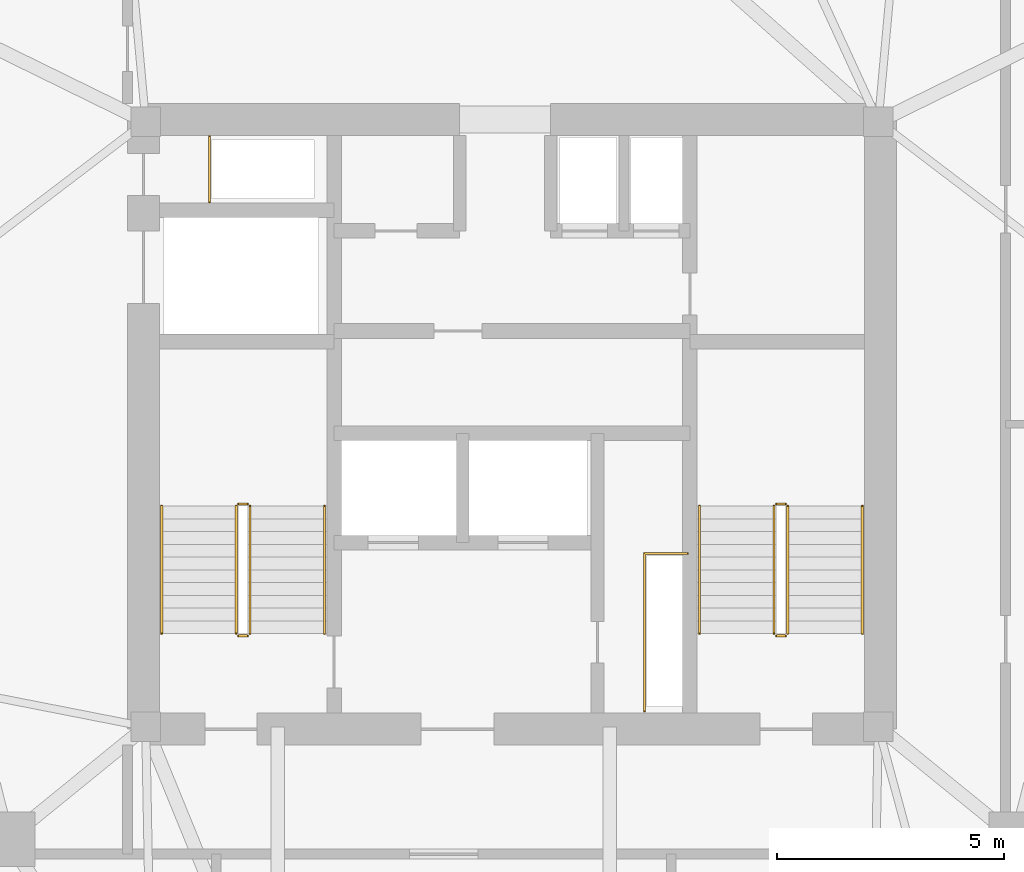
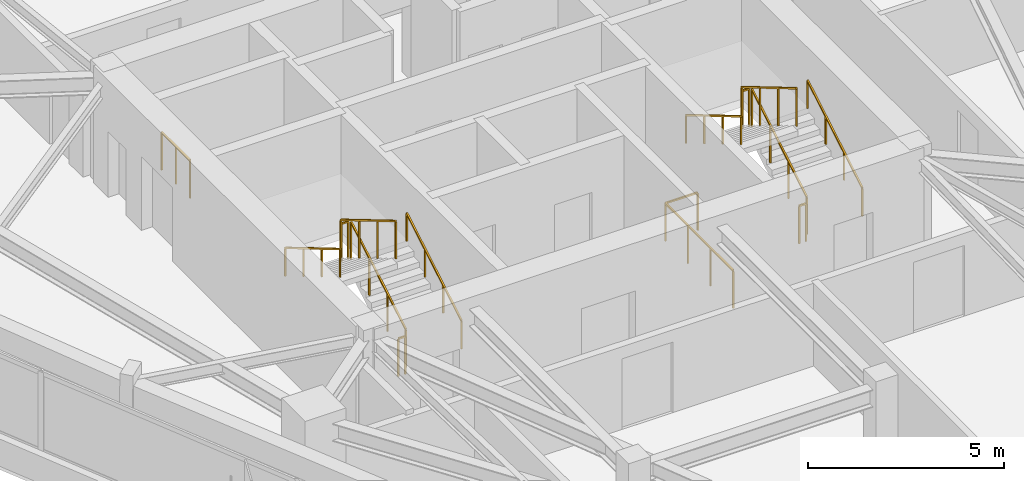
# One storey, part 11 of 11: 14 railings.
"""IFC4 building model written with IfcOpenShell, lengths in metres."""

import ifcopenshell
import ifcopenshell.guid

model = None  # the IFC model being written
_history = None  # IfcOwnerHistory: only IFC2X3 demands one
_inside = {}  # id of a spatial element -> (the spatial element, [elements in it])
_under = {}  # id of a project, library or spatial element -> (it, [spatial elements below it])
_declared = {}  # id of a project -> (the project, [libraries it declares])
_typed = {}  # id of a type object -> (the type object, [elements of that type])
_made_of = {}  # id of a material, layer set ... -> (it, [elements and type objects made of it])


def new_model(schema):
    """Start an empty IFC model of exactly this schema.

    Asked for "IFC4X3", IfcOpenShell would pick the latest addendum, in which some entities
    have other attributes; the version numbers below select the first issue.
    IFC2X3 requires an IfcOwnerHistory on every rooted entity: one is made here for all.
    """
    global model, _history
    if schema == "IFC4X3":
        model = ifcopenshell.file(schema_version=(4, 3, 0, 0))
    else:
        model = ifcopenshell.file(schema=schema)
    _inside.clear()
    _under.clear()
    _declared.clear()
    _typed.clear()
    _made_of.clear()
    _history = None
    if model.schema == "IFC2X3":
        org = make("IfcOrganization", Name="unknown")
        user = make(
            "IfcPersonAndOrganization",
            ThePerson=make("IfcPerson", FamilyName="unknown"),
            TheOrganization=org,
        )
        app = make(
            "IfcApplication",
            ApplicationDeveloper=org,
            Version="unknown",
            ApplicationFullName="unknown",
            ApplicationIdentifier="unknown",
        )
        _history = make(
            "IfcOwnerHistory",
            OwningUser=user,
            OwningApplication=app,
            ChangeAction="ADDED",
            CreationDate=0,
        )
    return model


def make(cls, **values):
    """One entity of the class cls with the attributes given. An attribute that is None is left unset."""
    return model.create_entity(
        cls, **{name: value for name, value in values.items() if value is not None}
    )


def rooted(cls, **values):
    """An entity with a GlobalId (a new one), such as an element, a storey or a relation."""
    return make(cls, GlobalId=ifcopenshell.guid.new(), OwnerHistory=_history, **values)


def si_unit(unit_type, name, prefix=None):
    """IfcSIUnit, for example si_unit("LENGTHUNIT", "METRE", prefix="MILLI")."""
    return make("IfcSIUnit", UnitType=unit_type, Prefix=prefix, Name=name)


def assignment(units):
    """IfcUnitAssignment: the units of a project."""
    return None if units is None else make("IfcUnitAssignment", Units=units)


def point(xyz):
    """IfcCartesianPoint."""
    return None if xyz is None else make("IfcCartesianPoint", Coordinates=xyz)


def direction(xyz):
    """IfcDirection."""
    return None if xyz is None else make("IfcDirection", DirectionRatios=xyz)


def frame(location, z_axis=None, x_axis=None):
    """IfcAxis2Placement3D, a coordinate frame: its origin and axes. An axis left out is left unset."""
    return make(
        "IfcAxis2Placement3D",
        Location=point(location),
        Axis=direction(z_axis),
        RefDirection=direction(x_axis),
    )


def frame_2d(location, x_axis=None):
    """IfcAxis2Placement2D, a coordinate frame in the plane: its origin and x axis."""
    return make(
        "IfcAxis2Placement2D", Location=point(location), RefDirection=direction(x_axis)
    )


def origin():
    """The frame at (0, 0, 0) with its axes left unset."""
    return frame((0.0, 0.0, 0.0))


def origin_2d():
    """The frame at (0, 0) in the plane with its x axis left unset."""
    return frame_2d((0.0, 0.0))


def place(relative_to, where):
    """IfcLocalPlacement: puts the frame where relative to a parent placement (None: the world)."""
    return make(
        "IfcLocalPlacement", PlacementRelTo=relative_to, RelativePlacement=where
    )


def context(
    kind, dimensions, precision=None, world=None, true_north=None, identifier=None
):
    """IfcGeometricRepresentationContext, for example the 3D "Model" context."""
    return make(
        "IfcGeometricRepresentationContext",
        ContextIdentifier=identifier,
        ContextType=kind,
        CoordinateSpaceDimension=dimensions,
        Precision=precision,
        WorldCoordinateSystem=world,
        TrueNorth=true_north,
    )


def subcontext(parent, identifier, kind, view, scale=None):
    """IfcGeometricRepresentationSubContext, for example "Body" below "Model"."""
    return make(
        "IfcGeometricRepresentationSubContext",
        ContextIdentifier=identifier,
        ContextType=kind,
        ParentContext=parent,
        TargetScale=scale,
        TargetView=view,
    )


def project(units=None, contexts=None):
    """IfcProject with its units and contexts."""
    return rooted(
        "IfcProject",
        Name="project",
        RepresentationContexts=contexts,
        UnitsInContext=assignment(units),
    )


def spatial(cls, under=None, at=None, **own):
    """A site, building, storey or space (cls), placed at a placement, below another one or the project."""
    s = rooted(cls, ObjectPlacement=at, **own)
    if under is not None:
        _under.setdefault(under.id(), (under, []))[1].append(s)
    return s


def profile(cls, at=None, kind="AREA", **sizes):
    """A parametric profile (cls). Its sizes go by their IFC names, for example OverallWidth=200.0."""
    return make(cls, ProfileType=kind, Position=at, **sizes)


def rectangle(**sizes):
    """IfcRectangleProfileDef."""
    return profile("IfcRectangleProfileDef", **sizes)


def extrude(swept, where, along, depth):
    """IfcExtrudedAreaSolid: the profile swept, set in the frame where, extruded along a direction by depth."""
    return make(
        "IfcExtrudedAreaSolid",
        SweptArea=swept,
        Position=where,
        ExtrudedDirection=direction(along),
        Depth=depth,
    )


def shape(context_of_items, identifier, shape_type, items):
    """IfcShapeRepresentation: the items that make up one representation, for example the "Body"."""
    return make(
        "IfcShapeRepresentation",
        ContextOfItems=context_of_items,
        RepresentationIdentifier=identifier,
        RepresentationType=shape_type,
        Items=items,
    )


def material(Name=None, Category=None):
    """IfcMaterial."""
    return make("IfcMaterial", Name=Name, Category=Category)


def made_of(thing, what):
    """Note that an element or type object is made of a material, layer set ...; save() writes the relation."""
    if what is not None:
        _made_of.setdefault(what.id(), (what, []))[1].append(thing)
    return thing


def type_object(cls, material=None, **own):
    """A type object (cls), such as IfcWallType, which elements share."""
    return made_of(rooted(cls, **own), material)


def element(
    cls,
    number,
    at=None,
    inside=None,
    cuts=None,
    type_object=None,
    material=None,
    context=None,
    identifier="Body",
    shape_type=None,
    held_by="IfcProductDefinitionShape",
    body=None,
    shapes=None,
    **own,
):
    """One element of the class cls, such as IfcWall. Its Tag is "e" and its number.

    at: its placement. inside: the storey or other place that contains it. cuts: it is an
    opening in that element (IfcRelVoidsElement). A single representation is given by context,
    identifier, shape_type and body (its items); several are given by shapes. held_by: the class
    of the entity that holds the representations. save() writes the other relations.
    """
    e = rooted(cls, Tag="e%d" % number, ObjectPlacement=at, **own)
    if body is not None:
        shapes = [shape(context, identifier, shape_type, body)]
    if shapes is not None:
        e.Representation = make(held_by, Representations=shapes)
    if inside is not None:
        _inside.setdefault(inside.id(), (inside, []))[1].append(e)
    if cuts is not None:
        rooted(
            "IfcRelVoidsElement", RelatingBuildingElement=cuts, RelatedOpeningElement=e
        )
    if type_object is not None:
        _typed.setdefault(type_object.id(), (type_object, []))[1].append(e)
    return made_of(e, material)


def aggregate(whole, parts):
    """IfcRelAggregates: a whole, such as a stair, and the parts it consists of."""
    return rooted("IfcRelAggregates", RelatingObject=whole, RelatedObjects=parts)


def save(model, path):
    """Write the relations noted so far, then the file.

    IfcRelAggregates (storeys below a building ...), IfcRelContainedInSpatialStructure (elements
    in a storey), IfcRelDefinesByType, IfcRelAssociatesMaterial and IfcRelDeclares: one each for
    every whole, place, type object, material and project.
    """
    for whole, parts in _under.values():
        aggregate(whole, parts)
    for where, things in _inside.values():
        rooted(
            "IfcRelContainedInSpatialStructure",
            RelatedElements=things,
            RelatingStructure=where,
        )
    for kind, things in _typed.values():
        rooted("IfcRelDefinesByType", RelatedObjects=things, RelatingType=kind)
    for what, things in _made_of.values():
        rooted("IfcRelAssociatesMaterial", RelatedObjects=things, RelatingMaterial=what)
    for by, libraries in _declared.values():
        rooted("IfcRelDeclares", RelatingContext=by, RelatedDefinitions=libraries)
    model.write(path)


model = new_model("IFC4")

# Units and contexts
model_context = context("Model", 3, precision=1e-05, world=origin(), true_north=direction((0.0, 1.0)))
body_context = subcontext(model_context, "Body", "Model", "MODEL_VIEW")
ifc_project = project(units=[si_unit("LENGTHUNIT", "METRE"), si_unit("AREAUNIT", "SQUARE_METRE"), si_unit("VOLUMEUNIT", "CUBIC_METRE"), si_unit("PLANEANGLEUNIT", "RADIAN"), si_unit("MASSUNIT", "GRAM", prefix="KILO")], contexts=[model_context])

# Site, building, storey
site_placement = place(None, origin())
site = spatial("IfcSite", under=ifc_project, at=site_placement, CompositionType="ELEMENT")
building_placement = place(site_placement, origin())
building = spatial("IfcBuilding", under=site, at=building_placement, Name="Talyreon Biosciences Tower", CompositionType="ELEMENT")
storey_placement = place(building_placement, frame((0.0, 0.0, 271.75)))
storey = spatial("IfcBuildingStorey", under=building, at=storey_placement, Name="L72", CompositionType="ELEMENT", Elevation=271.75)

# Railings
ifc_material_1 = material(Name="Brushed stainless-steel tubular handrail", Category="steel")
railing_type_1 = type_object("IfcRailingType", Name="StairWallHandrail_900", PredefinedType="HANDRAIL", material=ifc_material_1)
railing_1_placement = place(storey_placement, frame((61.8798828125, 63.39990234375, 0.166015625)))
element("IfcRailing", 1, at=railing_1_placement, inside=storey, type_object=railing_type_1, Name="L72 ST-1 stair handrail 1", PredefinedType="HANDRAIL", context=body_context, shape_type="SweptSolid", body=[
    extrude(rectangle(XDim=0.048095703125, YDim=0.048095703125, at=origin_2d()), frame((0.0, 0.0, 0.8759765625), z_axis=(0.0, 0.860339051648, 0.50972219513), x_axis=(-1.0, 0.0, 0.0)), (0.0, 0.0, 1.0), 3.254638671875),
    extrude(rectangle(XDim=0.0419921875, YDim=0.0419921875, at=origin_2d()), origin(), (0.0, 0.0, 1.0), 0.851806640625),
    extrude(rectangle(XDim=0.0419921875, YDim=0.0419921875, at=origin_2d()), frame((0.0, 0.933349609375, 0.552978515625)), (0.0, 0.0, 1.0), 0.851806640625),
    extrude(rectangle(XDim=0.0419921875, YDim=0.0419921875, at=origin_2d()), frame((0.0, 1.86669921875, 1.10595703125)), (0.0, 0.0, 1.0), 0.851806640625),
    extrude(rectangle(XDim=0.0419921875, YDim=0.0419921875, at=origin_2d()), frame((0.0, 2.800048828125, 1.658935546875)), (0.0, 0.0, 1.0), 0.851806640625),
])
railing_2_placement = place(storey_placement, frame((58.300048828125, 66.199951171875, 1.990966796875)))
element("IfcRailing", 2, at=railing_2_placement, inside=storey, type_object=railing_type_1, Name="L72 ST-1 stair handrail 2", PredefinedType="HANDRAIL", context=body_context, shape_type="SweptSolid", body=[
    extrude(rectangle(XDim=0.048095703125, YDim=0.048095703125, at=origin_2d()), frame((0.0, 0.0, 0.8759765625), z_axis=(0.0, -0.860339051648, 0.50972219513), x_axis=(1.0, 0.0, 0.0)), (0.0, 0.0, 1.0), 3.254638671875),
    extrude(rectangle(XDim=0.0419921875, YDim=0.0419921875, at=origin_2d()), origin(), (0.0, 0.0, 1.0), 0.851806640625),
    extrude(rectangle(XDim=0.0419921875, YDim=0.0419921875, at=origin_2d()), frame((0.0, -0.933349609375, 0.552978515625)), (0.0, 0.0, 1.0), 0.851806640625),
    extrude(rectangle(XDim=0.0419921875, YDim=0.0419921875, at=origin_2d()), frame((0.0, -1.86669921875, 1.10595703125)), (0.0, 0.0, 1.0), 0.851806640625),
    extrude(rectangle(XDim=0.0419921875, YDim=0.0419921875, at=origin_2d()), frame((0.0, -2.800048828125, 1.658935546875)), (0.0, 0.0, 1.0), 0.851806640625),
])
railing_3_placement = place(storey_placement, frame((73.699951171875, 63.39990234375, 0.166015625)))
element("IfcRailing", 3, at=railing_3_placement, inside=storey, type_object=railing_type_1, Name="L72 ST-2 stair handrail 1", PredefinedType="HANDRAIL", context=body_context, shape_type="SweptSolid", body=[
    extrude(rectangle(XDim=0.048095703125, YDim=0.048095703125, at=origin_2d()), frame((0.0, 0.0, 0.8759765625), z_axis=(0.0, 0.860339051648, 0.50972219513), x_axis=(-1.0, 0.0, 0.0)), (0.0, 0.0, 1.0), 3.254638671875),
    extrude(rectangle(XDim=0.0419921875, YDim=0.0419921875, at=origin_2d()), origin(), (0.0, 0.0, 1.0), 0.851806640625),
    extrude(rectangle(XDim=0.0419921875, YDim=0.0419921875, at=origin_2d()), frame((0.0, 0.933349609375, 0.552978515625)), (0.0, 0.0, 1.0), 0.851806640625),
    extrude(rectangle(XDim=0.0419921875, YDim=0.0419921875, at=origin_2d()), frame((0.0, 1.86669921875, 1.10595703125)), (0.0, 0.0, 1.0), 0.851806640625),
    extrude(rectangle(XDim=0.0419921875, YDim=0.0419921875, at=origin_2d()), frame((0.0, 2.800048828125, 1.658935546875)), (0.0, 0.0, 1.0), 0.851806640625),
])
railing_4_placement = place(storey_placement, frame((70.1201171875, 66.199951171875, 1.990966796875)))
element("IfcRailing", 4, at=railing_4_placement, inside=storey, type_object=railing_type_1, Name="L72 ST-2 stair handrail 2", PredefinedType="HANDRAIL", context=body_context, shape_type="SweptSolid", body=[
    extrude(rectangle(XDim=0.048095703125, YDim=0.048095703125, at=origin_2d()), frame((0.0, 0.0, 0.8759765625), z_axis=(0.0, -0.860339051648, 0.50972219513), x_axis=(1.0, 0.0, 0.0)), (0.0, 0.0, 1.0), 3.254638671875),
    extrude(rectangle(XDim=0.0419921875, YDim=0.0419921875, at=origin_2d()), origin(), (0.0, 0.0, 1.0), 0.851806640625),
    extrude(rectangle(XDim=0.0419921875, YDim=0.0419921875, at=origin_2d()), frame((0.0, -0.933349609375, 0.552978515625)), (0.0, 0.0, 1.0), 0.851806640625),
    extrude(rectangle(XDim=0.0419921875, YDim=0.0419921875, at=origin_2d()), frame((0.0, -1.86669921875, 1.10595703125)), (0.0, 0.0, 1.0), 0.851806640625),
    extrude(rectangle(XDim=0.0419921875, YDim=0.0419921875, at=origin_2d()), frame((0.0, -2.800048828125, 1.658935546875)), (0.0, 0.0, 1.0), 0.851806640625),
])
ifc_material_2 = material(Name="Painted galvanised steel post-and-rail balustrade", Category="steel")
railing_type_2 = type_object("IfcRailingType", Name="TerraceStairGuard_1200", PredefinedType="GUARDRAIL", material=ifc_material_2)
railing_5_placement = place(storey_placement, frame((60.239990234375, 63.39990234375, 0.166015625)))
element("IfcRailing", 5, at=railing_5_placement, inside=storey, type_object=railing_type_2, Name="L72 ST-1 stair guard 1", PredefinedType="GUARDRAIL", context=body_context, shape_type="SweptSolid", body=[
    extrude(rectangle(XDim=0.048095703125, YDim=0.048095703125, at=origin_2d()), frame((0.0, 0.0, 1.17578125), z_axis=(0.0, 0.860339051648, 0.50972219513), x_axis=(-1.0, 0.0, 0.0)), (0.0, 0.0, 1.0), 3.254638671875),
    extrude(rectangle(XDim=0.0419921875, YDim=0.0419921875, at=origin_2d()), origin(), (0.0, 0.0, 1.0), 1.15185546875),
    extrude(rectangle(XDim=0.0419921875, YDim=0.0419921875, at=origin_2d()), frame((0.0, 0.933349609375, 0.552978515625)), (0.0, 0.0, 1.0), 1.15185546875),
    extrude(rectangle(XDim=0.0419921875, YDim=0.0419921875, at=origin_2d()), frame((0.0, 1.86669921875, 1.10595703125)), (0.0, 0.0, 1.0), 1.15185546875),
    extrude(rectangle(XDim=0.0419921875, YDim=0.0419921875, at=origin_2d()), frame((0.0, 2.800048828125, 1.658935546875)), (0.0, 0.0, 1.0), 1.15185546875),
])
railing_6_placement = place(storey_placement, frame((60.18994140625, 66.25, 1.824951171875)))
element("IfcRailing", 6, at=railing_6_placement, inside=storey, type_object=railing_type_2, Name="L72 ST-1 stair guard 2", PredefinedType="GUARDRAIL", context=body_context, shape_type="SweptSolid", body=[
    extrude(rectangle(XDim=0.048095703125, YDim=0.048095703125, at=origin_2d()), frame((0.0, 0.0, 1.17578125), z_axis=(-1.0, 0.0, 0.0), x_axis=(0.0, -1.0, 0.0)), (0.0, 0.0, 1.0), 0.199951171875),
    extrude(rectangle(XDim=0.0419921875, YDim=0.0419921875, at=origin_2d()), origin(), (0.0, 0.0, 1.0), 1.15185546875),
    extrude(rectangle(XDim=0.0419921875, YDim=0.0419921875, at=origin_2d()), frame((-0.199951171875, 0.0, 0.0)), (0.0, 0.0, 1.0), 1.15185546875),
])
railing_7_placement = place(storey_placement, frame((59.93994140625, 66.199951171875, 1.990966796875)))
element("IfcRailing", 7, at=railing_7_placement, inside=storey, type_object=railing_type_2, Name="L72 ST-1 stair guard 3", PredefinedType="GUARDRAIL", context=body_context, shape_type="SweptSolid", body=[
    extrude(rectangle(XDim=0.048095703125, YDim=0.048095703125, at=origin_2d()), frame((0.0, 0.0, 1.17578125), z_axis=(0.0, -0.860339051648, 0.50972219513), x_axis=(1.0, 0.0, 0.0)), (0.0, 0.0, 1.0), 3.254638671875),
    extrude(rectangle(XDim=0.0419921875, YDim=0.0419921875, at=origin_2d()), origin(), (0.0, 0.0, 1.0), 1.15185546875),
    extrude(rectangle(XDim=0.0419921875, YDim=0.0419921875, at=origin_2d()), frame((0.0, -0.933349609375, 0.552978515625)), (0.0, 0.0, 1.0), 1.15185546875),
    extrude(rectangle(XDim=0.0419921875, YDim=0.0419921875, at=origin_2d()), frame((0.0, -1.86669921875, 1.10595703125)), (0.0, 0.0, 1.0), 1.15185546875),
    extrude(rectangle(XDim=0.0419921875, YDim=0.0419921875, at=origin_2d()), frame((0.0, -2.800048828125, 1.658935546875)), (0.0, 0.0, 1.0), 1.15185546875),
])
railing_8_placement = place(storey_placement, frame((60.18994140625, 63.35009765625, 0.0)))
element("IfcRailing", 8, at=railing_8_placement, inside=storey, type_object=railing_type_2, Name="L72 ST-1 stair guard 4", PredefinedType="GUARDRAIL", context=body_context, shape_type="SweptSolid", body=[
    extrude(rectangle(XDim=0.048095703125, YDim=0.048095703125, at=origin_2d()), frame((0.0, 0.0, 1.17578125), z_axis=(-1.0, 0.0, 0.0), x_axis=(0.0, -1.0, 0.0)), (0.0, 0.0, 1.0), 0.199951171875),
    extrude(rectangle(XDim=0.0419921875, YDim=0.0419921875, at=origin_2d()), origin(), (0.0, 0.0, 1.0), 1.15185546875),
    extrude(rectangle(XDim=0.0419921875, YDim=0.0419921875, at=origin_2d()), frame((-0.199951171875, 0.0, 0.0)), (0.0, 0.0, 1.0), 1.15185546875),
])
railing_9_placement = place(storey_placement, frame((72.06005859375, 63.39990234375, 0.166015625)))
element("IfcRailing", 9, at=railing_9_placement, inside=storey, type_object=railing_type_2, Name="L72 ST-2 stair guard 1", PredefinedType="GUARDRAIL", context=body_context, shape_type="SweptSolid", body=[
    extrude(rectangle(XDim=0.048095703125, YDim=0.048095703125, at=origin_2d()), frame((0.0, 0.0, 1.17578125), z_axis=(0.0, 0.860339051648, 0.50972219513), x_axis=(-1.0, 0.0, 0.0)), (0.0, 0.0, 1.0), 3.254638671875),
    extrude(rectangle(XDim=0.0419921875, YDim=0.0419921875, at=origin_2d()), origin(), (0.0, 0.0, 1.0), 1.15185546875),
    extrude(rectangle(XDim=0.0419921875, YDim=0.0419921875, at=origin_2d()), frame((0.0, 0.933349609375, 0.552978515625)), (0.0, 0.0, 1.0), 1.15185546875),
    extrude(rectangle(XDim=0.0419921875, YDim=0.0419921875, at=origin_2d()), frame((0.0, 1.86669921875, 1.10595703125)), (0.0, 0.0, 1.0), 1.15185546875),
    extrude(rectangle(XDim=0.0419921875, YDim=0.0419921875, at=origin_2d()), frame((0.0, 2.800048828125, 1.658935546875)), (0.0, 0.0, 1.0), 1.15185546875),
])
railing_10_placement = place(storey_placement, frame((72.010009765625, 66.25, 1.824951171875)))
element("IfcRailing", 10, at=railing_10_placement, inside=storey, type_object=railing_type_2, Name="L72 ST-2 stair guard 2", PredefinedType="GUARDRAIL", context=body_context, shape_type="SweptSolid", body=[
    extrude(rectangle(XDim=0.048095703125, YDim=0.048095703125, at=origin_2d()), frame((0.0, 0.0, 1.17578125), z_axis=(-1.0, 0.0, 0.0), x_axis=(0.0, -1.0, 0.0)), (0.0, 0.0, 1.0), 0.199951171875),
    extrude(rectangle(XDim=0.0419921875, YDim=0.0419921875, at=origin_2d()), origin(), (0.0, 0.0, 1.0), 1.15185546875),
    extrude(rectangle(XDim=0.0419921875, YDim=0.0419921875, at=origin_2d()), frame((-0.199951171875, 0.0, 0.0)), (0.0, 0.0, 1.0), 1.15185546875),
])
railing_11_placement = place(storey_placement, frame((71.760009765625, 66.199951171875, 1.990966796875)))
element("IfcRailing", 11, at=railing_11_placement, inside=storey, type_object=railing_type_2, Name="L72 ST-2 stair guard 3", PredefinedType="GUARDRAIL", context=body_context, shape_type="SweptSolid", body=[
    extrude(rectangle(XDim=0.048095703125, YDim=0.048095703125, at=origin_2d()), frame((0.0, 0.0, 1.17578125), z_axis=(0.0, -0.860339051648, 0.50972219513), x_axis=(1.0, 0.0, 0.0)), (0.0, 0.0, 1.0), 3.254638671875),
    extrude(rectangle(XDim=0.0419921875, YDim=0.0419921875, at=origin_2d()), origin(), (0.0, 0.0, 1.0), 1.15185546875),
    extrude(rectangle(XDim=0.0419921875, YDim=0.0419921875, at=origin_2d()), frame((0.0, -0.933349609375, 0.552978515625)), (0.0, 0.0, 1.0), 1.15185546875),
    extrude(rectangle(XDim=0.0419921875, YDim=0.0419921875, at=origin_2d()), frame((0.0, -1.86669921875, 1.10595703125)), (0.0, 0.0, 1.0), 1.15185546875),
    extrude(rectangle(XDim=0.0419921875, YDim=0.0419921875, at=origin_2d()), frame((0.0, -2.800048828125, 1.658935546875)), (0.0, 0.0, 1.0), 1.15185546875),
])
railing_12_placement = place(storey_placement, frame((72.010009765625, 63.35009765625, 0.0)))
element("IfcRailing", 12, at=railing_12_placement, inside=storey, type_object=railing_type_2, Name="L72 ST-2 stair guard 4", PredefinedType="GUARDRAIL", context=body_context, shape_type="SweptSolid", body=[
    extrude(rectangle(XDim=0.048095703125, YDim=0.048095703125, at=origin_2d()), frame((0.0, 0.0, 1.17578125), z_axis=(-1.0, 0.0, 0.0), x_axis=(0.0, -1.0, 0.0)), (0.0, 0.0, 1.0), 0.199951171875),
    extrude(rectangle(XDim=0.0419921875, YDim=0.0419921875, at=origin_2d()), origin(), (0.0, 0.0, 1.0), 1.15185546875),
    extrude(rectangle(XDim=0.0419921875, YDim=0.0419921875, at=origin_2d()), frame((-0.199951171875, 0.0, 0.0)), (0.0, 0.0, 1.0), 1.15185546875),
])
railing_13_placement = place(storey_placement, frame((59.35009765625, 72.8798828125, 0.0)))
element("IfcRailing", 13, at=railing_13_placement, inside=storey, type_object=railing_type_2, Name="L72 Exhaust Riser Maintenance Guardrail", PredefinedType="GUARDRAIL", context=body_context, shape_type="SweptSolid", body=[
    extrude(rectangle(XDim=0.048095703125, YDim=0.048095703125, at=origin_2d()), frame((0.0, 0.0, 1.17578125), z_axis=(0.0, 1.0, 0.0), x_axis=(-1.0, 0.0, 0.0)), (0.0, 0.0, 1.0), 1.4501953125),
    extrude(rectangle(XDim=0.0419921875, YDim=0.0419921875, at=origin_2d()), origin(), (0.0, 0.0, 1.0), 1.15185546875),
    extrude(rectangle(XDim=0.0419921875, YDim=0.0419921875, at=origin_2d()), frame((0.0, 0.72509765625, 0.0)), (0.0, 0.0, 1.0), 1.15185546875),
    extrude(rectangle(XDim=0.0419921875, YDim=0.0419921875, at=origin_2d()), frame((0.0, 1.4501953125, 0.0)), (0.0, 0.0, 1.0), 1.15185546875),
])
railing_14_placement = place(storey_placement, frame((68.909912109375, 61.699951171875, 0.0)))
element("IfcRailing", 14, at=railing_14_placement, inside=storey, type_object=railing_type_2, Name="L72 Electrical Riser Maintenance Guardrail", PredefinedType="GUARDRAIL", context=body_context, shape_type="SweptSolid", body=[
    extrude(rectangle(XDim=0.048095703125, YDim=0.048095703125, at=origin_2d()), frame((0.0, 0.0, 1.17578125), z_axis=(0.0, 1.0, 0.0), x_axis=(-1.0, 0.0, 0.0)), (0.0, 0.0, 1.0), 3.4599609375),
    extrude(rectangle(XDim=0.048095703125, YDim=0.048095703125, at=origin_2d()), frame((0.0, 3.4599609375, 1.17578125), z_axis=(1.0, 0.0, 0.0), x_axis=(0.0, 1.0, 0.0)), (0.0, 0.0, 1.0), 0.9501953125),
    extrude(rectangle(XDim=0.0419921875, YDim=0.0419921875, at=origin_2d()), origin(), (0.0, 0.0, 1.0), 1.15185546875),
    extrude(rectangle(XDim=0.0419921875, YDim=0.0419921875, at=origin_2d()), frame((0.0, 1.1533203125, 0.0)), (0.0, 0.0, 1.0), 1.15185546875),
    extrude(rectangle(XDim=0.0419921875, YDim=0.0419921875, at=origin_2d()), frame((0.0, 2.306640625, 0.0)), (0.0, 0.0, 1.0), 1.15185546875),
    extrude(rectangle(XDim=0.0419921875, YDim=0.0419921875, at=origin_2d()), frame((0.0, 3.4599609375, 0.0)), (0.0, 0.0, 1.0), 1.15185546875),
    extrude(rectangle(XDim=0.0419921875, YDim=0.0419921875, at=origin_2d()), frame((0.9501953125, 3.4599609375, 0.0)), (0.0, 0.0, 1.0), 1.15185546875),
])

save(model, "model.ifc")
